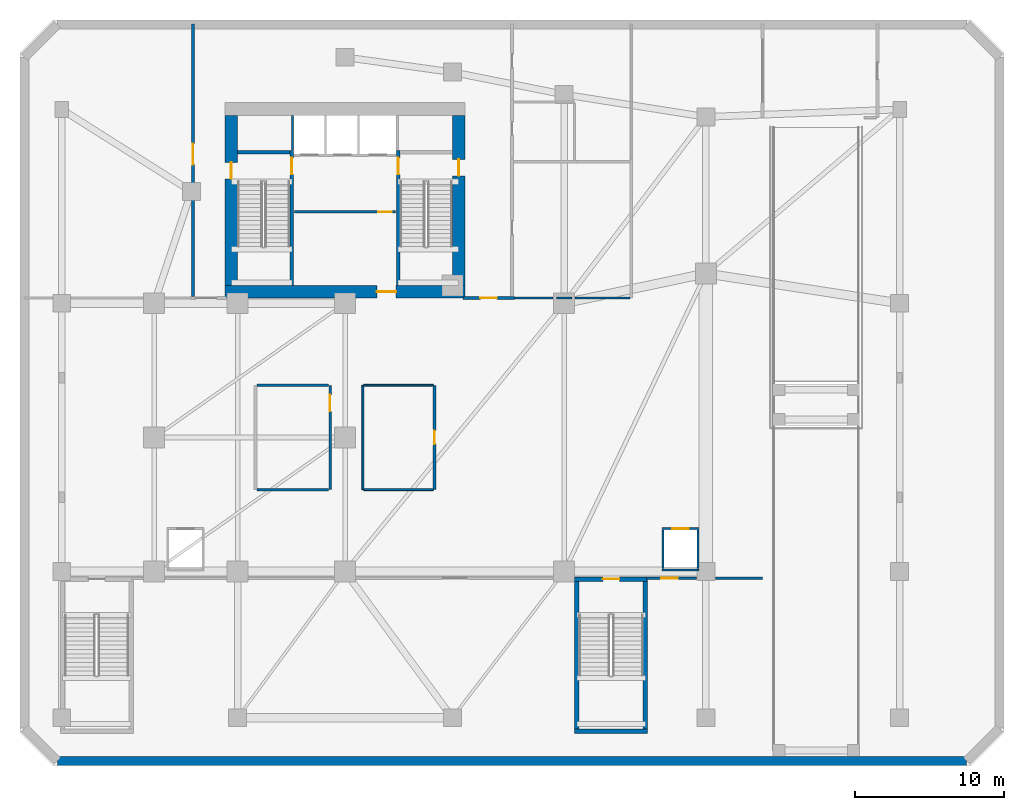
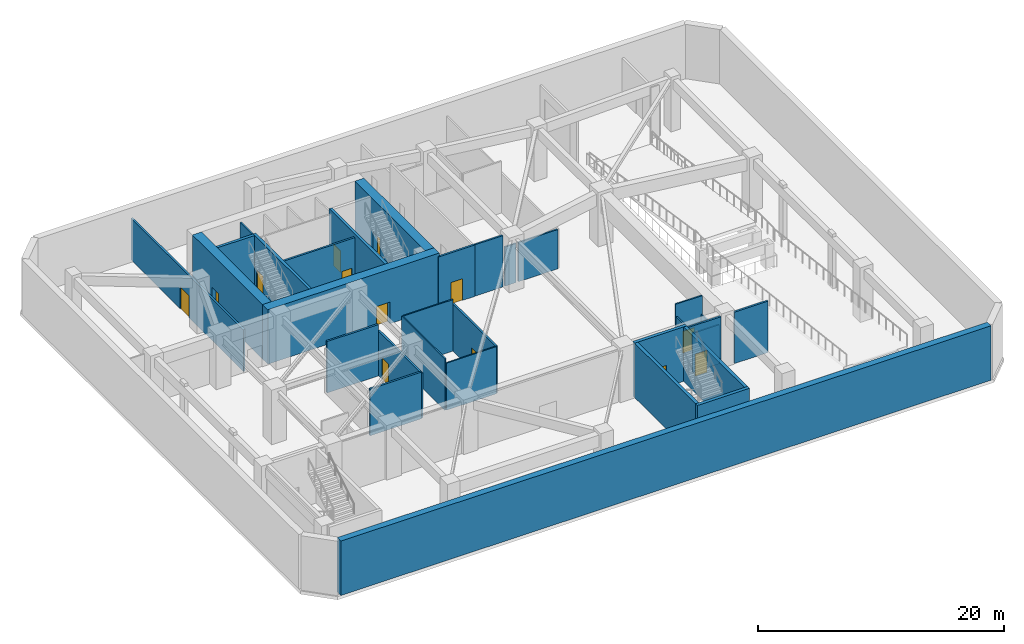
# One storey, part 3 of 9: 31 walls, 13 doors, 13 openings.
"""IFC4 building model written with IfcOpenShell, lengths in metres."""

from ifc_helpers import new_model, si_unit, direction, frame, frame_2d, origin, place, context, subcontext, project, spatial, rectangle, extrude, source, transform, mapped, material, layer, layer_set, type_object, element, fill, save


model = new_model("IFC4")

# Units and contexts
model_context = context("Model", 3, precision=1e-05, world=origin(), true_north=direction((0.0, 1.0)))
body_context = subcontext(model_context, "Body", "Model", "MODEL_VIEW")
ifc_project = project(units=[si_unit("LENGTHUNIT", "METRE"), si_unit("AREAUNIT", "SQUARE_METRE"), si_unit("VOLUMEUNIT", "CUBIC_METRE"), si_unit("PLANEANGLEUNIT", "RADIAN"), si_unit("MASSUNIT", "GRAM", prefix="KILO")], contexts=[model_context])

# Site, building, storey
site_placement = place(None, origin())
site = spatial("IfcSite", under=ifc_project, at=site_placement, CompositionType="ELEMENT")
building_placement = place(site_placement, origin())
building = spatial("IfcBuilding", under=site, at=building_placement, Name="Calvemar Wedge Station Tower", CompositionType="ELEMENT")
storey_placement = place(building_placement, frame((0.0, 0.0, -5.39990234375)))
storey = spatial("IfcBuildingStorey", under=building, at=storey_placement, Name="B01", CompositionType="ELEMENT", Elevation=-5.39990234375)

# Wall, opening, door
ifc_material_1 = material(Name="Concrete C50", Category="concrete")
ifc_layer_1 = layer(ifc_material_1, 0.260009765625)
ifc_layer_set_1 = layer_set([ifc_layer_1], Name="Concrete C50")
wall_type_1 = type_object("IfcWallType", Name="SW-CORE-260", PredefinedType="SHEAR", material=ifc_layer_set_1)
wall_1_placement = place(storey_placement, frame((20.22998046875, 34.199951171875, 0.0), z_axis=(0.0, 0.0, 1.0), x_axis=(0.0, 1.0, 0.0)))
wall_1 = element("IfcWall", 1, at=wall_1_placement, inside=storey, type_object=wall_type_1, Name="Storey B01 Core Shear Wall SPINE-W", PredefinedType="SHEAR", context=body_context, shape_type="SweptSolid", body=[
    extrude(rectangle(XDim=9.06005859375, YDim=0.260009765625, at=frame_2d((4.530029296875, 0.0))), origin(), (0.0, 0.0, 1.0), 5.39990234375),
])
shared_shape_1 = source(origin(), body_context, "Body", "SweptSolid", [
    extrude(rectangle(XDim=1.10009765625, YDim=2.14990234375, at=frame_2d((0.550048828125, 1.074951171875))), frame((0.0, 0.14013671875, 0.0), z_axis=(0.0, -1.0, 0.0), x_axis=(1.0, 0.0, 0.0)), (0.0, 0.0, 1.0), 0.280029296875),
])
opening_1_placement = place(wall_1_placement, frame((7.449951171875, 0.0, 0.0)))
opening_1 = element("IfcOpeningElement", 2, at=opening_1_placement, cuts=wall_1, Name="Opening FD-90", PredefinedType="OPENING", context=body_context, shape_type="MappedRepresentation", body=[
    mapped(shared_shape_1, transform((0.0, 0.0, 0.0), scale=1.0)),
])
ifc_material_2 = material(Name="Galvanized fire-rated steel door leaf P-90", Category="steel")
door_type_1 = type_object("IfcDoorType", Name="DR-FD90-1100", OperationType="NOTDEFINED", PredefinedType="DOOR", material=ifc_material_2)
shared_shape_2 = source(origin(), body_context, "Body", "SweptSolid", [
    extrude(rectangle(XDim=1.10009765625, YDim=2.14990234375, at=frame_2d((0.550048828125, 1.074951171875))), frame((0.0, 0.02490234375, 0.0), z_axis=(0.0, -1.0, 0.0), x_axis=(1.0, 0.0, 0.0)), (0.0, 0.0, 1.0), 0.050048828125),
])
door_1_placement = place(opening_1_placement, origin())
door_1 = element("IfcDoor", 3, at=door_1_placement, inside=storey, type_object=door_type_1, Name="B01 FF Lobby to Stair ST-C1 Door", OperationType="SINGLE_SWING_RIGHT", OverallHeight=2.14990234375, OverallWidth=1.10009765625, PredefinedType="DOOR", context=body_context, shape_type="MappedRepresentation", body=[
    mapped(shared_shape_2, transform((0.0, 0.0, 0.0), scale=1.0)),
])
fill(opening_1, door_1)

wall_2_placement = place(storey_placement, frame((27.3701171875, 34.199951171875, 0.0), z_axis=(0.0, 0.0, 1.0), x_axis=(0.0, 1.0, 0.0)))
wall_2 = element("IfcWall", 4, at=wall_2_placement, inside=storey, type_object=wall_type_1, Name="Storey B01 Core Shear Wall SPINE-E", PredefinedType="SHEAR", context=body_context, shape_type="SweptSolid", body=[
    extrude(rectangle(XDim=9.06005859375, YDim=0.260009765625, at=frame_2d((4.530029296875, 0.0))), origin(), (0.0, 0.0, 1.0), 5.39990234375),
])
opening_2_placement = place(wall_2_placement, frame((7.449951171875, 0.0, 0.0)))
opening_2 = element("IfcOpeningElement", 5, at=opening_2_placement, cuts=wall_2, Name="Opening FD-90", PredefinedType="OPENING", context=body_context, shape_type="MappedRepresentation", body=[
    mapped(shared_shape_1, transform((0.0, 0.0, 0.0), scale=1.0)),
])
door_2_placement = place(opening_2_placement, origin())
door_2 = element("IfcDoor", 6, at=door_2_placement, inside=storey, type_object=door_type_1, Name="B01 FF Lobby to Stair ST-C2 Door", OperationType="SINGLE_SWING_LEFT", OverallHeight=2.14990234375, OverallWidth=1.10009765625, PredefinedType="DOOR", context=body_context, shape_type="MappedRepresentation", body=[
    mapped(shared_shape_2, transform((0.0, 0.0, 0.0), scale=1.0)),
])
fill(opening_2, door_2)

# Walls
wall_3_placement = place(storey_placement, frame((16.60009765625, 43.1298828125, 0.0), z_axis=(0.0, 0.0, 1.0), x_axis=(1.0, 0.0, 0.0)))
element("IfcWall", 7, at=wall_3_placement, inside=storey, type_object=wall_type_1, Name="Storey B01 Core Shear Wall STC1-N", PredefinedType="SHEAR", context=body_context, shape_type="SweptSolid", body=[
    extrude(rectangle(XDim=3.5, YDim=0.260009765625, at=frame_2d((1.75, 0.0))), origin(), (0.0, 0.0, 1.0), 5.39990234375),
])
ifc_layer_2 = layer(ifc_material_1, 0.300048828125)
ifc_layer_set_2 = layer_set([ifc_layer_2], Name="Concrete C50")
wall_type_2 = type_object("IfcWallType", Name="SW-CORE-300", PredefinedType="SHEAR", material=ifc_layer_set_2)
for number, where, z_axis, x_axis, name in (
    (8, (39.35009765625, 4.449951171875, 0.0), (0.0, 0.0, 1.0), (0.0, 1.0, 0.0), "Storey B01 Podium Stair STP2 Structural Wall W"),
    (9, (43.949951171875, 4.449951171875, 0.0), (0.0, 0.0, 1.0), (0.0, 1.0, 0.0), "Storey B01 Podium Stair STP2 Structural Wall E"),
):
    element("IfcWall", number, at=place(storey_placement, frame(where, z_axis=z_axis, x_axis=x_axis)), inside=storey, type_object=wall_type_2, Name=name, PredefinedType="SHEAR", context=body_context, shape_type="SweptSolid", body=[
        extrude(rectangle(XDim=9.900146484375, YDim=0.300048828125, at=frame_2d((4.9501953125, 0.0))), origin(), (0.0, 0.0, 1.0), 5.39990234375),
    ])
wall_4_placement = place(storey_placement, frame((39.199951171875, 4.300048828125, 0.0), z_axis=(0.0, 0.0, 1.0), x_axis=(1.0, 0.0, 0.0)))
element("IfcWall", 10, at=wall_4_placement, inside=storey, type_object=wall_type_2, Name="Storey B01 Podium Stair STP2 Structural Wall S", PredefinedType="SHEAR", context=body_context, shape_type="SweptSolid", body=[
    extrude(rectangle(XDim=4.900146484375, YDim=0.300048828125, at=frame_2d((2.4501953125, 0.0))), origin(), (0.0, 0.0, 1.0), 5.39990234375),
])

# Wall, opening, door
wall_5_placement = place(storey_placement, frame((39.199951171875, 14.5, 0.0), z_axis=(0.0, 0.0, 1.0), x_axis=(1.0, 0.0, 0.0)))
wall_5 = element("IfcWall", 11, at=wall_5_placement, inside=storey, type_object=wall_type_2, Name="Storey B01 Podium Stair STP2 Structural Wall N", PredefinedType="SHEAR", context=body_context, shape_type="SweptSolid", body=[
    extrude(rectangle(XDim=4.900146484375, YDim=0.300048828125, at=frame_2d((2.4501953125, 0.0))), origin(), (0.0, 0.0, 1.0), 5.39990234375),
])
shared_shape_3 = source(origin(), body_context, "Body", "SweptSolid", [
    extrude(rectangle(XDim=1.10009765625, YDim=2.14990234375, at=frame_2d((0.550048828125, 1.074951171875))), frame((0.0, 0.16015625, 0.0), z_axis=(0.0, -1.0, 0.0), x_axis=(1.0, 0.0, 0.0)), (0.0, 0.0, 1.0), 0.320068359375),
])
opening_3_placement = place(wall_5_placement, frame((1.89990234375, 0.0, 0.0)))
opening_3 = element("IfcOpeningElement", 12, at=opening_3_placement, cuts=wall_5, Name="Opening FD-90", PredefinedType="OPENING", context=body_context, shape_type="MappedRepresentation", body=[
    mapped(shared_shape_3, transform((0.0, 0.0, 0.0), scale=1.0)),
])
door_3_placement = place(opening_3_placement, origin())
door_3 = element("IfcDoor", 13, at=door_3_placement, inside=storey, type_object=door_type_1, Name="B01 Exit Stair ST-P2 Door", OperationType="SINGLE_SWING_LEFT", OverallHeight=2.14990234375, OverallWidth=1.10009765625, PredefinedType="DOOR", context=body_context, shape_type="MappedRepresentation", body=[
    mapped(shared_shape_2, transform((0.0, 0.0, 0.0), scale=1.0)),
])
fill(opening_3, door_3)

ifc_material_3 = material(Name="Concrete C80", Category="concrete")
ifc_layer_3 = layer(ifc_material_3, 0.85009765625)
ifc_layer_set_3 = layer_set([ifc_layer_3], Name="Concrete C80")
wall_type_3 = type_object("IfcWallType", Name="SW-CORE-850", PredefinedType="SHEAR", material=ifc_layer_set_3)
wall_6_placement = place(storey_placement, frame((15.75, 33.77490234375, 0.0), z_axis=(0.0, 0.0, 1.0), x_axis=(1.0, 0.0, 0.0)))
wall_6 = element("IfcWall", 14, at=wall_6_placement, inside=storey, type_object=wall_type_3, Name="Storey B01 Core Shear Wall S", PredefinedType="SHEAR", context=body_context, shape_type="SweptSolid", body=[
    extrude(rectangle(XDim=16.10009765625, YDim=0.85009765625, at=frame_2d((8.050048828125, 0.0))), origin(), (0.0, 0.0, 1.0), 5.39990234375),
])
shared_shape_4 = source(origin(), body_context, "Body", "SweptSolid", [
    extrude(rectangle(XDim=1.300048828125, YDim=2.14990234375, at=frame_2d((0.64990234375, 1.074951171875))), frame((0.0, 0.43505859375, 0.0), z_axis=(0.0, -1.0, 0.0), x_axis=(1.0, 0.0, 0.0)), (0.0, 0.0, 1.0), 0.8701171875),
])
opening_4_placement = place(wall_6_placement, frame((10.179931640625, 0.0, 0.0)))
opening_4 = element("IfcOpeningElement", 15, at=opening_4_placement, cuts=wall_6, Name="Opening DD-130", PredefinedType="OPENING", context=body_context, shape_type="MappedRepresentation", body=[
    mapped(shared_shape_4, transform((0.0, 0.0, 0.0), scale=1.0)),
])
ifc_material_4 = material(Name="Double-leaf lift lobby fire door EI 60")
door_type_2 = type_object("IfcDoorType", Name="DR-DBL-1300", OperationType="DOUBLE_DOOR_SINGLE_SWING", PredefinedType="DOOR", material=ifc_material_4)
shared_shape_5 = source(origin(), body_context, "Body", "SweptSolid", [
    extrude(rectangle(XDim=1.300048828125, YDim=2.14990234375, at=frame_2d((0.64990234375, 1.074951171875))), frame((0.0, 0.02490234375, 0.0), z_axis=(0.0, -1.0, 0.0), x_axis=(1.0, 0.0, 0.0)), (0.0, 0.0, 1.0), 0.050048828125),
])
door_4_placement = place(opening_4_placement, origin())
door_4 = element("IfcDoor", 16, at=door_4_placement, inside=storey, type_object=door_type_2, Name="B01 Passenger Lift Lobby Door", OperationType="DOUBLE_DOOR_SINGLE_SWING", OverallHeight=2.14990234375, OverallWidth=1.300048828125, PredefinedType="DOOR", context=body_context, shape_type="MappedRepresentation", body=[
    mapped(shared_shape_5, transform((0.0, 0.0, 0.0), scale=1.0)),
])
fill(opening_4, door_4)

wall_7_placement = place(storey_placement, frame((16.175048828125, 34.199951171875, 0.0), z_axis=(0.0, 0.0, 1.0), x_axis=(0.0, 1.0, 0.0)))
wall_7 = element("IfcWall", 17, at=wall_7_placement, inside=storey, type_object=wall_type_3, Name="Storey B01 Core Shear Wall W", PredefinedType="SHEAR", context=body_context, shape_type="SweptSolid", body=[
    extrude(rectangle(XDim=11.400146484375, YDim=0.85009765625, at=frame_2d((5.7001953125, 0.0))), origin(), (0.0, 0.0, 1.0), 5.39990234375),
])
shared_shape_6 = source(origin(), body_context, "Body", "SweptSolid", [
    extrude(rectangle(XDim=1.10009765625, YDim=2.14990234375, at=frame_2d((0.550048828125, 1.074951171875))), frame((0.0, 0.43505859375, 0.0), z_axis=(0.0, -1.0, 0.0), x_axis=(1.0, 0.0, 0.0)), (0.0, 0.0, 1.0), 0.8701171875),
])
opening_5_placement = place(wall_7_placement, frame((7.14990234375, 0.0, 0.0)))
opening_5 = element("IfcOpeningElement", 18, at=opening_5_placement, cuts=wall_7, Name="Opening FD-90", PredefinedType="OPENING", context=body_context, shape_type="MappedRepresentation", body=[
    mapped(shared_shape_6, transform((0.0, 0.0, 0.0), scale=1.0)),
])
door_5_placement = place(opening_5_placement, origin())
door_5 = element("IfcDoor", 19, at=door_5_placement, inside=storey, type_object=door_type_1, Name="B01 West Corridor to Exit Stair ST-C1 Door", OperationType="SINGLE_SWING_RIGHT", OverallHeight=2.14990234375, OverallWidth=1.10009765625, PredefinedType="DOOR", context=body_context, shape_type="MappedRepresentation", body=[
    mapped(shared_shape_2, transform((0.0, 0.0, 0.0), scale=1.0)),
])
fill(opening_5, door_5)

wall_8_placement = place(storey_placement, frame((31.425048828125, 34.199951171875, 0.0), z_axis=(0.0, 0.0, 1.0), x_axis=(0.0, 1.0, 0.0)))
wall_8 = element("IfcWall", 20, at=wall_8_placement, inside=storey, type_object=wall_type_3, Name="Storey B01 Core Shear Wall E", PredefinedType="SHEAR", context=body_context, shape_type="SweptSolid", body=[
    extrude(rectangle(XDim=11.400146484375, YDim=0.85009765625, at=frame_2d((5.7001953125, 0.0))), origin(), (0.0, 0.0, 1.0), 5.39990234375),
])
opening_6_placement = place(wall_8_placement, frame((7.35009765625, 0.0, 0.0)))
opening_6 = element("IfcOpeningElement", 21, at=opening_6_placement, cuts=wall_8, Name="Opening FD-90", PredefinedType="OPENING", context=body_context, shape_type="MappedRepresentation", body=[
    mapped(shared_shape_6, transform((0.0, 0.0, 0.0), scale=1.0)),
])
door_6_placement = place(opening_6_placement, origin())
door_6 = element("IfcDoor", 22, at=door_6_placement, inside=storey, type_object=door_type_1, Name="B01 East Corridor to Exit Stair ST-C2 Door", OperationType="SINGLE_SWING_LEFT", OverallHeight=2.14990234375, OverallWidth=1.10009765625, PredefinedType="DOOR", context=body_context, shape_type="MappedRepresentation", body=[
    mapped(shared_shape_2, transform((0.0, 0.0, 0.0), scale=1.0)),
])
fill(opening_6, door_6)

# Wall
ifc_layer_4 = layer(ifc_material_1, 0.60009765625)
ifc_layer_set_4 = layer_set([ifc_layer_4], Name="Concrete C50")
wall_type_4 = type_object("IfcWallType", Name="SW-CORE-RET-600", PredefinedType="SHEAR", material=ifc_layer_set_4)
wall_9_placement = place(storey_placement, frame((4.5, 2.300048828125, 0.0), z_axis=(0.0, 0.0, 1.0), x_axis=(1.0, 0.0, 0.0)))
element("IfcWall", 23, at=wall_9_placement, inside=storey, type_object=wall_type_4, Name="Basement B01 Diaphragm Retaining Wall 1", PredefinedType="SHEAR", context=body_context, shape_type="SweptSolid", body=[
    extrude(rectangle(XDim=61.0, YDim=0.60009765625, at=frame_2d((30.5, 0.0))), origin(), (0.0, 0.0, 1.0), 5.39990234375),
])

# Wall, opening, door
ifc_material_5 = material(Name="Double-stud fire-rated corridor partition")
ifc_layer_5 = layer(ifc_material_5, 0.179931640625)
ifc_layer_set_5 = layer_set([ifc_layer_5], Name="Double-stud fire-rated corridor partition")
wall_type_5 = type_object("IfcWallType", Name="W-CORR-180", PredefinedType="PARTITIONING", material=ifc_layer_set_5)
wall_10_placement = place(storey_placement, frame((27.199951171875, 39.1298828125, 0.0), z_axis=(0.0, 0.0, 1.0), x_axis=(-1.0, 0.0, 0.0)))
wall_10 = element("IfcWall", 24, at=wall_10_placement, inside=storey, type_object=wall_type_5, Name="Storey B01 Interior Partition WL-B01-001", PredefinedType="PARTITIONING", context=body_context, shape_type="SweptSolid", body=[
    extrude(rectangle(XDim=6.780029296875, YDim=0.179931640625, at=frame_2d((3.39013671875, 0.0))), origin(), (0.0, 0.0, 1.0), 5.099853515625),
])
shared_shape_7 = source(origin(), body_context, "Body", "SweptSolid", [
    extrude(rectangle(XDim=0.89990234375, YDim=2.14990234375, at=frame_2d((0.449951171875, 1.074951171875))), frame((0.0, 0.10009765625, 0.0), z_axis=(0.0, -1.0, 0.0), x_axis=(1.0, 0.0, 0.0)), (0.0, 0.0, 1.0), 0.199951171875),
])
opening_7_placement = place(wall_10_placement, frame((0.280029296875, 0.0, 0.0)))
opening_7 = element("IfcOpeningElement", 25, at=opening_7_placement, cuts=wall_10, Name="Opening FD-60", PredefinedType="OPENING", context=body_context, shape_type="MappedRepresentation", body=[
    mapped(shared_shape_7, transform((0.0, 0.0, 0.0), scale=1.0)),
])
ifc_material_6 = material(Name="Fire-rated acoustic timber-core entrance door EI 60", Category="wood")
door_type_3 = type_object("IfcDoorType", Name="DR-FD60-900", OperationType="NOTDEFINED", PredefinedType="DOOR", material=ifc_material_6)
shared_shape_8 = source(origin(), body_context, "Body", "SweptSolid", [
    extrude(rectangle(XDim=0.89990234375, YDim=2.14990234375, at=frame_2d((0.449951171875, 1.074951171875))), frame((0.0, 0.02490234375, 0.0), z_axis=(0.0, -1.0, 0.0), x_axis=(1.0, 0.0, 0.0)), (0.0, 0.0, 1.0), 0.050048828125),
])
door_7_placement = place(opening_7_placement, origin())
door_7 = element("IfcDoor", 26, at=door_7_placement, inside=storey, type_object=door_type_3, Name="B01 Core Service Lobby Door", OperationType="SINGLE_SWING_RIGHT", OverallHeight=2.14990234375, OverallWidth=0.89990234375, PredefinedType="DOOR", context=body_context, shape_type="MappedRepresentation", body=[
    mapped(shared_shape_8, transform((0.0, 0.0, 0.0), scale=1.0)),
])
fill(opening_7, door_7)

wall_11_placement = place(storey_placement, frame((22.800048828125, 27.5, 0.0), z_axis=(0.0, 0.0, 1.0), x_axis=(0.0, -1.0, 0.0)))
wall_11 = element("IfcWall", 27, at=wall_11_placement, inside=storey, type_object=wall_type_5, Name="Storey B01 Interior Partition WL-B01-005", PredefinedType="PARTITIONING", context=body_context, shape_type="SweptSolid", body=[
    extrude(rectangle(XDim=7.0, YDim=0.179931640625, at=frame_2d((3.5, 0.0))), origin(), (0.0, 0.0, 1.0), 4.456787109375),
])
shared_shape_9 = source(origin(), body_context, "Body", "SweptSolid", [
    extrude(rectangle(XDim=1.10009765625, YDim=2.14990234375, at=frame_2d((0.550048828125, 1.074951171875))), frame((0.0, 0.10009765625, 0.0), z_axis=(0.0, -1.0, 0.0), x_axis=(1.0, 0.0, 0.0)), (0.0, 0.0, 1.0), 0.199951171875),
])
opening_8_placement = place(wall_11_placement, frame((0.64404296875, 0.0, 0.0)))
opening_8 = element("IfcOpeningElement", 28, at=opening_8_placement, cuts=wall_11, Name="Opening FD-90", PredefinedType="OPENING", context=body_context, shape_type="MappedRepresentation", body=[
    mapped(shared_shape_9, transform((0.0, 0.0, 0.0), scale=1.0)),
])
door_8_placement = place(opening_8_placement, origin())
door_8 = element("IfcDoor", 29, at=door_8_placement, inside=storey, type_object=door_type_1, Name="B01 EV Charger Switchgear Room Door", OperationType="SINGLE_SWING_LEFT", OverallHeight=2.14990234375, OverallWidth=1.10009765625, PredefinedType="DOOR", context=body_context, shape_type="MappedRepresentation", body=[
    mapped(shared_shape_2, transform((0.0, 0.0, 0.0), scale=1.0)),
])
fill(opening_8, door_8)

# Walls
wall_12_placement = place(storey_placement, frame((17.89404296875, 27.5, 0.0), z_axis=(0.0, 0.0, 1.0), x_axis=(1.0, 0.0, 0.0)))
element("IfcWall", 30, at=wall_12_placement, inside=storey, type_object=wall_type_5, Name="Storey B01 Interior Partition WL-B01-007", PredefinedType="PARTITIONING", context=body_context, shape_type="SweptSolid", body=[
    extrude(rectangle(XDim=4.81201171875, YDim=0.179931640625, at=frame_2d((2.406005859375, 0.0))), origin(), (0.0, 0.0, 1.0), 5.099853515625),
])
wall_13_placement = place(storey_placement, frame((22.7060546875, 20.5, 0.0), z_axis=(0.0, 0.0, 1.0), x_axis=(-1.0, 0.0, 0.0)))
element("IfcWall", 31, at=wall_13_placement, inside=storey, type_object=wall_type_5, Name="Storey B01 Interior Partition WL-B01-008", PredefinedType="PARTITIONING", context=body_context, shape_type="SweptSolid", body=[
    extrude(rectangle(XDim=4.81201171875, YDim=0.179931640625, at=frame_2d((2.406005859375, 0.0))), origin(), (0.0, 0.0, 1.0), 4.62890625),
])

# Wall, opening, door
wall_14_placement = place(storey_placement, frame((29.800048828125, 27.5, 0.0), z_axis=(0.0, 0.0, 1.0), x_axis=(0.0, -1.0, 0.0)))
wall_14 = element("IfcWall", 32, at=wall_14_placement, inside=storey, type_object=wall_type_5, Name="Storey B01 Interior Partition WL-B01-009", PredefinedType="PARTITIONING", context=body_context, shape_type="SweptSolid", body=[
    extrude(rectangle(XDim=7.0, YDim=0.179931640625, at=frame_2d((3.5, 0.0))), origin(), (0.0, 0.0, 1.0), 4.671875),
])
opening_9_placement = place(wall_14_placement, frame((3.050048828125, 0.0, 0.0)))
opening_9 = element("IfcOpeningElement", 33, at=opening_9_placement, cuts=wall_14, Name="Opening FD-60", PredefinedType="OPENING", context=body_context, shape_type="MappedRepresentation", body=[
    mapped(shared_shape_7, transform((0.0, 0.0, 0.0), scale=1.0)),
])
door_9_placement = place(opening_9_placement, origin())
door_9 = element("IfcDoor", 34, at=door_9_placement, inside=storey, type_object=door_type_3, Name="B01 Car Park Valet and Gear Room Door", OperationType="SINGLE_SWING_RIGHT", OverallHeight=2.14990234375, OverallWidth=0.89990234375, PredefinedType="DOOR", context=body_context, shape_type="MappedRepresentation", body=[
    mapped(shared_shape_8, transform((0.0, 0.0, 0.0), scale=1.0)),
])
fill(opening_9, door_9)

wall_15_placement = place(storey_placement, frame((31.7099609375, 33.35009765625, 0.0), z_axis=(0.0, 0.0, 1.0), x_axis=(1.0, 0.0, 0.0)))
wall_15 = element("IfcWall", 35, at=wall_15_placement, inside=storey, type_object=wall_type_5, Name="Storey B01 Interior Partition WL-B01-017", PredefinedType="PARTITIONING", context=body_context, shape_type="SweptSolid", body=[
    extrude(rectangle(XDim=3.449951171875, YDim=0.179931640625, at=frame_2d((1.72509765625, 0.0))), origin(), (0.0, 0.0, 1.0), 5.099853515625),
])
opening_10_placement = place(wall_15_placement, frame((1.175048828125, 0.0, 0.0)))
opening_10 = element("IfcOpeningElement", 36, at=opening_10_placement, cuts=wall_15, Name="Opening FD-90", PredefinedType="OPENING", context=body_context, shape_type="MappedRepresentation", body=[
    mapped(shared_shape_9, transform((0.0, 0.0, 0.0), scale=1.0)),
])
door_10_placement = place(opening_10_placement, origin())
door_10 = element("IfcDoor", 37, at=door_10_placement, inside=storey, type_object=door_type_1, Name="B01 East B01 Amenity Corridor Door", OperationType="SINGLE_SWING_LEFT", OverallHeight=2.14990234375, OverallWidth=1.10009765625, PredefinedType="DOOR", context=body_context, shape_type="MappedRepresentation", body=[
    mapped(shared_shape_2, transform((0.0, 0.0, 0.0), scale=1.0)),
])
fill(opening_10, door_10)

wall_16_placement = place(storey_placement, frame((47.360107421875, 14.550048828125, 0.0), z_axis=(0.0, 0.0, 1.0), x_axis=(-1.0, 0.0, 0.0)))
wall_16 = element("IfcWall", 38, at=wall_16_placement, inside=storey, type_object=wall_type_5, Name="Storey B01 Interior Partition WL-B01-026", PredefinedType="PARTITIONING", context=body_context, shape_type="SweptSolid", body=[
    extrude(rectangle(XDim=3.35009765625, YDim=0.179931640625, at=frame_2d((1.675048828125, 0.0))), origin(), (0.0, 0.0, 1.0), 5.099853515625),
])
opening_11_placement = place(wall_16_placement, frame((1.24560546875, 0.0, 0.0)))
opening_11 = element("IfcOpeningElement", 39, at=opening_11_placement, cuts=wall_16, Name="Opening FD-90", PredefinedType="OPENING", context=body_context, shape_type="MappedRepresentation", body=[
    mapped(shared_shape_9, transform((0.0, 0.0, 0.0), scale=1.0)),
])
door_11_placement = place(opening_11_placement, origin())
door_11 = element("IfcDoor", 40, at=door_11_placement, inside=storey, type_object=door_type_1, Name="B01 Car Park Smoke Extract Plant Room Door", OperationType="SINGLE_SWING_LEFT", OverallHeight=2.14990234375, OverallWidth=1.10009765625, PredefinedType="DOOR", context=body_context, shape_type="MappedRepresentation", body=[
    mapped(shared_shape_2, transform((0.0, 0.0, 0.0), scale=1.0)),
])
fill(opening_11, door_11)

# Wall
wall_17_placement = place(storey_placement, frame((51.800048828125, 14.550048828125, 0.0), z_axis=(0.0, 0.0, 1.0), x_axis=(-1.0, 0.0, 0.0)))
element("IfcWall", 41, at=wall_17_placement, inside=storey, type_object=wall_type_5, Name="Storey B01 Interior Partition WL-B01-027", PredefinedType="PARTITIONING", context=body_context, shape_type="SweptSolid", body=[
    extrude(rectangle(XDim=3.16015625, YDim=0.179931640625, at=frame_2d((1.580078125, 0.0))), origin(), (0.0, 0.0, 1.0), 5.099853515625),
])

# Wall, opening, door
wall_18_placement = place(storey_placement, frame((13.60009765625, 33.444091796875, 0.0), z_axis=(0.0, 0.0, 1.0), x_axis=(0.0, 1.0, 0.0)))
wall_18 = element("IfcWall", 42, at=wall_18_placement, inside=storey, type_object=wall_type_5, Name="Storey B01 Interior Partition WL-B01-028", PredefinedType="PARTITIONING", context=body_context, shape_type="SweptSolid", body=[
    extrude(rectangle(XDim=18.27099609375, YDim=0.179931640625, at=frame_2d((9.135498046875, 0.0))), origin(), (0.0, 0.0, 1.0), 4.141845703125),
])
shared_shape_10 = source(origin(), body_context, "Body", "SweptSolid", [
    extrude(rectangle(XDim=1.39990234375, YDim=2.14990234375, at=frame_2d((0.699951171875, 1.074951171875))), frame((0.0, 0.10009765625, 0.0), z_axis=(0.0, -1.0, 0.0), x_axis=(1.0, 0.0, 0.0)), (0.0, 0.0, 1.0), 0.199951171875),
])
opening_12_placement = place(wall_18_placement, frame((8.8583984375, 0.0, 0.0)))
opening_12 = element("IfcOpeningElement", 43, at=opening_12_placement, cuts=wall_18, Name="Opening DD-140", PredefinedType="OPENING", context=body_context, shape_type="MappedRepresentation", body=[
    mapped(shared_shape_10, transform((0.0, 0.0, 0.0), scale=1.0)),
])
ifc_material_7 = material(Name="Double-leaf corridor acoustic fire door EI 60")
door_type_4 = type_object("IfcDoorType", Name="DR-DBL-1400", OperationType="DOUBLE_DOOR_SINGLE_SWING", PredefinedType="DOOR", material=ifc_material_7)
shared_shape_11 = source(origin(), body_context, "Body", "SweptSolid", [
    extrude(rectangle(XDim=1.39990234375, YDim=2.14990234375, at=frame_2d((0.699951171875, 1.074951171875))), frame((0.0, 0.02490234375, 0.0), z_axis=(0.0, -1.0, 0.0), x_axis=(1.0, 0.0, 0.0)), (0.0, 0.0, 1.0), 0.050048828125),
])
door_12_placement = place(opening_12_placement, origin())
door_12 = element("IfcDoor", 44, at=door_12_placement, inside=storey, type_object=door_type_4, Name="B01 Secure Bicycle Store Door", OperationType="SINGLE_SWING_RIGHT", OverallHeight=2.14990234375, OverallWidth=1.39990234375, PredefinedType="DOOR", context=body_context, shape_type="MappedRepresentation", body=[
    mapped(shared_shape_11, transform((0.0, 0.0, 0.0), scale=1.0)),
])
fill(opening_12, door_12)

# Wall
ifc_material_8 = material(Name="Reinforced concrete blockwork lift shaft wall", Category="masonry")
ifc_layer_6 = layer(ifc_material_8, 0.139892578125)
ifc_layer_set_6 = layer_set([ifc_layer_6], Name="Reinforced concrete blockwork lift shaft wall")
wall_type_6 = type_object("IfcWallType", Name="W-LIFT-160", PredefinedType="SOLIDWALL", material=ifc_layer_set_6)
wall_19_placement = place(storey_placement, frame((20.2900390625, 43.280029296875, 0.0), z_axis=(0.0, 0.0, 1.0), x_axis=(0.0, 1.0, 0.0)))
element("IfcWall", 45, at=wall_19_placement, inside=storey, type_object=wall_type_6, Name="Storey B01 Firefighting Lift Shaft Enclosure Wall W", PredefinedType="SOLIDWALL", context=body_context, shape_type="SweptSolid", body=[
    extrude(rectangle(XDim=2.300048828125, YDim=0.139892578125, at=frame_2d((1.14990234375, 0.0))), origin(), (0.0, 0.0, 1.0), 5.099853515625),
])

# Wall, opening, door
wall_20_placement = place(storey_placement, frame((45.050048828125, 17.8798828125, 0.0), z_axis=(0.0, 0.0, 1.0), x_axis=(1.0, 0.0, 0.0)))
wall_20 = element("IfcWall", 46, at=wall_20_placement, inside=storey, type_object=wall_type_6, Name="Storey B01 Station Lift SL-02 Shaft Wall N", PredefinedType="SOLIDWALL", context=body_context, shape_type="SweptSolid", body=[
    extrude(rectangle(XDim=2.5, YDim=0.139892578125, at=frame_2d((1.25, 0.0))), origin(), (0.0, 0.0, 1.0), 5.099853515625),
])
shared_shape_12 = source(origin(), body_context, "Body", "SweptSolid", [
    extrude(rectangle(XDim=1.10009765625, YDim=2.14990234375, at=frame_2d((0.550048828125, 1.074951171875))), frame((0.0, 0.080078125, 0.0), z_axis=(0.0, -1.0, 0.0), x_axis=(1.0, 0.0, 0.0)), (0.0, 0.0, 1.0), 0.159912109375),
])
opening_13_placement = place(wall_20_placement, frame((0.699951171875, 0.0, 0.0)))
opening_13 = element("IfcOpeningElement", 47, at=opening_13_placement, cuts=wall_20, Name="Opening LD-STN", PredefinedType="OPENING", context=body_context, shape_type="MappedRepresentation", body=[
    mapped(shared_shape_12, transform((0.0, 0.0, 0.0), scale=1.0)),
])
ifc_material_9 = material(Name="Stainless steel transit lift sliding landing door", Category="steel")
door_type_5 = type_object("IfcDoorType", Name="DR-LD-PAX-1100", OperationType="SLIDING_TO_LEFT", PredefinedType="DOOR", material=ifc_material_9)
shared_shape_13 = source(origin(), body_context, "Body", "SweptSolid", [
    extrude(rectangle(XDim=1.10009765625, YDim=2.14990234375, at=frame_2d((0.550048828125, 1.074951171875))), frame((0.0, 0.02490234375, 0.0), z_axis=(0.0, -1.0, 0.0), x_axis=(1.0, 0.0, 0.0)), (0.0, 0.0, 1.0), 0.050048828125),
])
door_13_placement = place(opening_13_placement, origin())
door_13 = element("IfcDoor", 48, at=door_13_placement, inside=storey, type_object=door_type_5, Name="B01 Station Lift SL-02 Sliding Landing Door", OperationType="SLIDING_TO_RIGHT", OverallHeight=2.14990234375, OverallWidth=1.10009765625, PredefinedType="DOOR", context=body_context, shape_type="MappedRepresentation", body=[
    mapped(shared_shape_13, transform((0.0, 0.0, 0.0), scale=1.0)),
])
fill(opening_13, door_13)

# Walls
wall_21_placement = place(storey_placement, frame((45.050048828125, 15.1201171875, 0.0), z_axis=(0.0, 0.0, 1.0), x_axis=(1.0, 0.0, 0.0)))
element("IfcWall", 49, at=wall_21_placement, inside=storey, type_object=wall_type_6, Name="Storey B01 Station Lift SL-02 Shaft Wall S", PredefinedType="SOLIDWALL", context=body_context, shape_type="SweptSolid", body=[
    extrude(rectangle(XDim=2.5, YDim=0.139892578125, at=frame_2d((1.25, 0.0))), origin(), (0.0, 0.0, 1.0), 3.891845703125),
])
wall_22_placement = place(storey_placement, frame((45.1201171875, 15.219970703125, 0.0), z_axis=(0.0, 0.0, 1.0), x_axis=(0.0, 1.0, 0.0)))
element("IfcWall", 50, at=wall_22_placement, inside=storey, type_object=wall_type_6, Name="Storey B01 Station Lift SL-02 Shaft Wall W", PredefinedType="SOLIDWALL", context=body_context, shape_type="SweptSolid", body=[
    extrude(rectangle(XDim=2.56005859375, YDim=0.139892578125, at=frame_2d((1.280029296875, 0.0))), origin(), (0.0, 0.0, 1.0), 3.891845703125),
])
wall_23_placement = place(storey_placement, frame((47.47998046875, 15.219970703125, 0.0), z_axis=(0.0, 0.0, 1.0), x_axis=(0.0, 1.0, 0.0)))
element("IfcWall", 51, at=wall_23_placement, inside=storey, type_object=wall_type_6, Name="Storey B01 Station Lift SL-02 Shaft Wall E", PredefinedType="SOLIDWALL", context=body_context, shape_type="SweptSolid", body=[
    extrude(rectangle(XDim=2.56005859375, YDim=0.139892578125, at=frame_2d((1.280029296875, 0.0))), origin(), (0.0, 0.0, 1.0), 3.2919921875),
])
ifc_material_10 = material(Name="Insulated acoustic gypsum stud partition")
ifc_layer_7 = layer(ifc_material_10, 0.125)
ifc_layer_set_7 = layer_set([ifc_layer_7], Name="Insulated acoustic gypsum stud partition")
wall_type_7 = type_object("IfcWallType", Name="W-PART-125", PredefinedType="PARTITIONING", material=ifc_layer_set_7)
wall_24_placement = place(storey_placement, frame((25.0, 20.5, 0.0), z_axis=(0.0, 0.0, 1.0), x_axis=(0.0, 1.0, 0.0)))
element("IfcWall", 52, at=wall_24_placement, inside=storey, type_object=wall_type_7, Name="Storey B01 Interior Partition WL-B01-010", PredefinedType="PARTITIONING", context=body_context, shape_type="SweptSolid", body=[
    extrude(rectangle(XDim=7.0, YDim=0.125, at=frame_2d((3.5, 0.0))), origin(), (0.0, 0.0, 1.0), 5.099853515625),
])
wall_25_placement = place(storey_placement, frame((25.06640625, 27.5, 0.0), z_axis=(0.0, 0.0, 1.0), x_axis=(1.0, 0.0, 0.0)))
element("IfcWall", 53, at=wall_25_placement, inside=storey, type_object=wall_type_7, Name="Storey B01 Interior Partition WL-B01-011", PredefinedType="PARTITIONING", context=body_context, shape_type="SweptSolid", body=[
    extrude(rectangle(XDim=4.6669921875, YDim=0.125, at=frame_2d((2.33349609375, 0.0))), origin(), (0.0, 0.0, 1.0), 5.099853515625),
])
wall_26_placement = place(storey_placement, frame((29.7333984375, 20.5, 0.0), z_axis=(0.0, 0.0, 1.0), x_axis=(-1.0, 0.0, 0.0)))
element("IfcWall", 54, at=wall_26_placement, inside=storey, type_object=wall_type_7, Name="Storey B01 Interior Partition WL-B01-012", PredefinedType="PARTITIONING", context=body_context, shape_type="SweptSolid", body=[
    extrude(rectangle(XDim=4.6669921875, YDim=0.125, at=frame_2d((2.33349609375, 0.0))), origin(), (0.0, 0.0, 1.0), 4.671875),
])
ifc_material_11 = material(Name="Moisture-resistant acoustic bathroom partition")
ifc_layer_8 = layer(ifc_material_11, 0.14990234375)
ifc_layer_set_8 = layer_set([ifc_layer_8], Name="Moisture-resistant acoustic bathroom partition")
wall_type_8 = type_object("IfcWallType", Name="W-WET-150", PredefinedType="PARTITIONING", material=ifc_layer_set_8)
wall_27_placement = place(storey_placement, frame((39.239990234375, 33.35009765625, 0.0), z_axis=(0.0, 0.0, 1.0), x_axis=(1.0, 0.0, 0.0)))
element("IfcWall", 55, at=wall_27_placement, inside=storey, type_object=wall_type_8, Name="Storey B01 Interior Partition WL-B01-019", PredefinedType="PARTITIONING", context=body_context, shape_type="SweptSolid", body=[
    extrude(rectangle(XDim=3.680908203125, YDim=0.14990234375, at=frame_2d((1.84033203125, 0.0))), origin(), (0.0, 0.0, 1.0), 3.891845703125),
])
wall_28_placement = place(storey_placement, frame((35.162109375, 33.35009765625, 0.0), z_axis=(0.0, 0.0, 1.0), x_axis=(1.0, 0.0, 0.0)))
element("IfcWall", 56, at=wall_28_placement, inside=storey, type_object=wall_type_8, Name="Storey B01 Interior Partition WL-B01-020", PredefinedType="PARTITIONING", context=body_context, shape_type="SweptSolid", body=[
    extrude(rectangle(XDim=2.597900390625, YDim=0.14990234375, at=frame_2d((1.298828125, 0.0))), origin(), (0.0, 0.0, 1.0), 5.099853515625),
])
wall_29_placement = place(storey_placement, frame((39.02001953125, 33.35009765625, 0.0), z_axis=(0.0, 0.0, 1.0), x_axis=(-1.0, 0.0, 0.0)))
element("IfcWall", 57, at=wall_29_placement, inside=storey, type_object=wall_type_8, Name="Storey B01 Bathroom Enclosure Wall WL-B01-036", PredefinedType="PARTITIONING", context=body_context, shape_type="SweptSolid", body=[
    extrude(rectangle(XDim=1.0400390625, YDim=0.14990234375, at=frame_2d((0.52001953125, 0.0))), origin(), (0.0, 0.0, 1.0), 3.891845703125),
])

save(model, "model.ifc")
